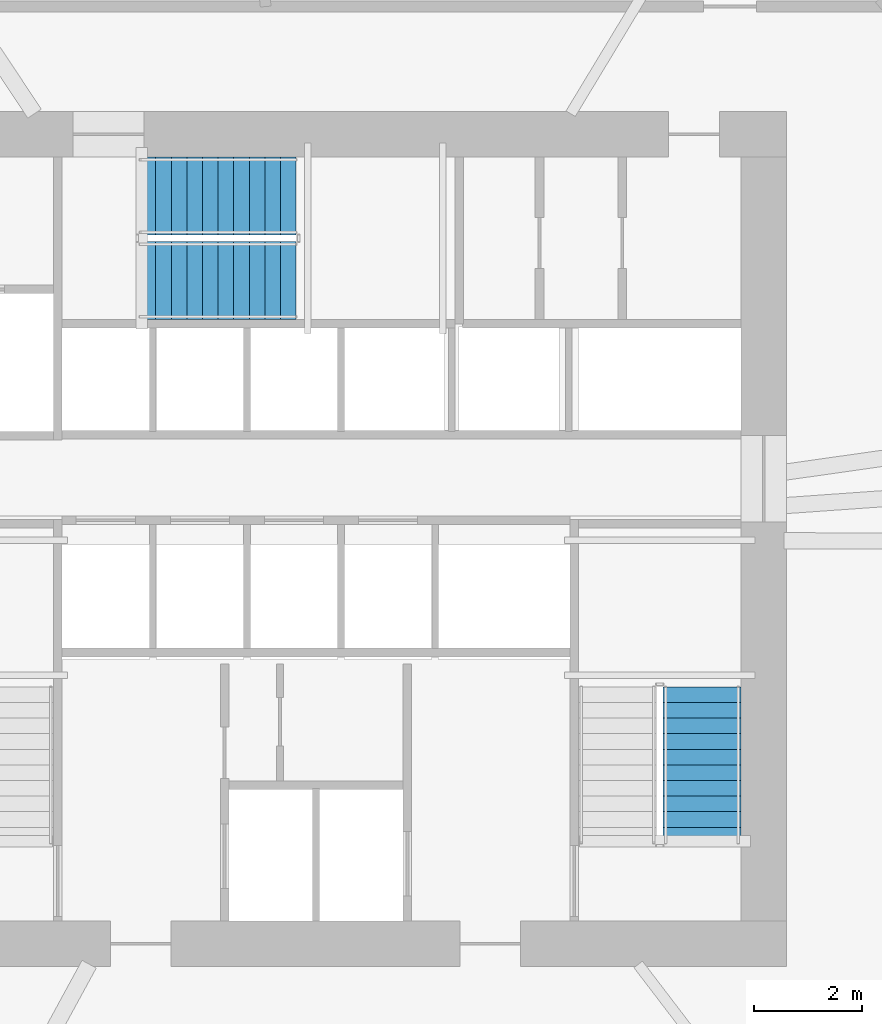
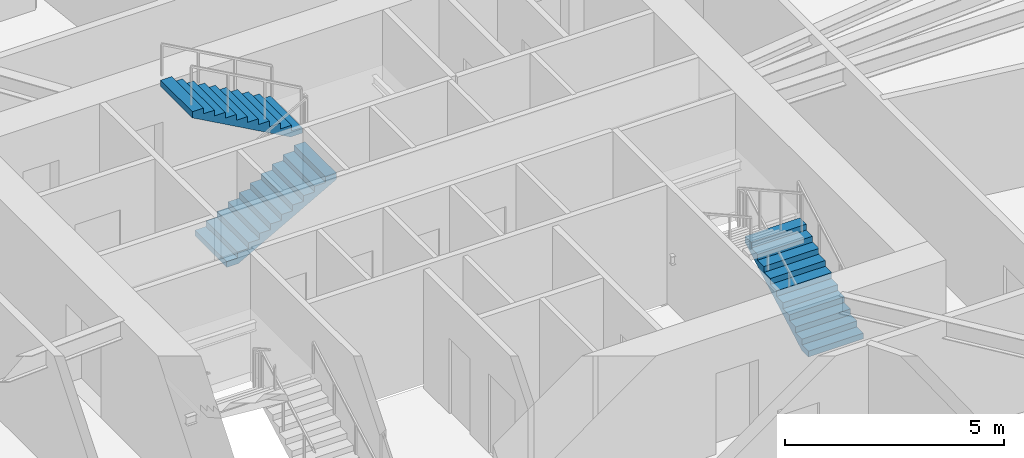
# One storey, part 18 of 21: 3 stair flights, 2 elements without a shape of their own.
"""IFC4 building model written with IfcOpenShell, lengths in metres."""

from ifc_helpers import new_model, si_unit, direction, frame, origin, place, context, subcontext, project, spatial, polyline, outline, extrude, material, type_object, element, aggregate, save


model = new_model("IFC4")

# Units and contexts
model_context = context("Model", 3, precision=1e-05, world=origin(), true_north=direction((0.0, 1.0)))
body_context = subcontext(model_context, "Body", "Model", "MODEL_VIEW")
ifc_project = project(units=[si_unit("LENGTHUNIT", "METRE"), si_unit("AREAUNIT", "SQUARE_METRE"), si_unit("VOLUMEUNIT", "CUBIC_METRE"), si_unit("PLANEANGLEUNIT", "RADIAN"), si_unit("MASSUNIT", "GRAM", prefix="KILO")], contexts=[model_context])

# Site, building, storey
site_placement = place(None, origin())
site = spatial("IfcSite", under=ifc_project, at=site_placement, CompositionType="ELEMENT")
building_placement = place(site_placement, origin())
building = spatial("IfcBuilding", under=site, at=building_placement, Name="Olszyna Solenne Hotel", CompositionType="ELEMENT")
storey_placement = place(building_placement, frame((0.0, 0.0, 47.050048828125)))
storey = spatial("IfcBuildingStorey", under=building, at=storey_placement, Name="L11", CompositionType="ELEMENT", Elevation=47.050048828125)

# Stair, stair flight
ifc_material = material(Name="Concrete C40/50", Category="concrete")
stair_type = type_object("IfcStairType", Name="STR-C1", PredefinedType="TWO_QUARTER_WINDING_STAIR", material=ifc_material)
stair_1_placement = place(storey_placement, origin())
stair_1 = element("IfcStair", 1, at=stair_1_placement, inside=storey, type_object=stair_type, Name="L11 ST2", PredefinedType="TWO_QUARTER_WINDING_STAIR")
stair_flight_type = type_object("IfcStairFlightType", Name="FLT-C1", PredefinedType="STRAIGHT", material=ifc_material)
stair_flight_1_placement = place(storey_placement, frame((45.175048828125, 20.949951171875, 0.0), z_axis=(0.0, 0.0, 1.0), x_axis=(0.0, 1.0, 0.0)))
stair_flight_1 = element("IfcStairFlight", 2, at=stair_flight_1_placement, type_object=stair_flight_type, Name="ST2 flight 1", NumberOfRisers=11, NumberOfTreads=10, PredefinedType="STRAIGHT", RiserHeight=0.161363636, TreadLength=0.29, context=body_context, shape_type="SweptSolid", body=[
    extrude(outline(polyline([(0.0, 0.0), (0.0, 0.161376953125), (0.2900390625, 0.161376953125), (0.2900390625, 0.32275390625), (0.580078125, 0.32275390625), (0.580078125, 0.484130859375), (0.8701171875, 0.484130859375), (0.8701171875, 0.6455078125), (1.159912109375, 0.6455078125), (1.159912109375, 0.806884765625), (1.449951171875, 0.806884765625), (1.449951171875, 0.96826171875), (1.739990234375, 0.96826171875), (1.739990234375, 1.129638671875), (2.030029296875, 1.129638671875), (2.030029296875, 1.291015625), (2.320068359375, 1.291015625), (2.320068359375, 1.452392578125), (2.610107421875, 1.452392578125), (2.610107421875, 1.613525390625), (2.89990234375, 1.613525390625), (2.89990234375, 1.77490234375), (2.89990234375, 1.442138671875), (0.308349609375, 0.0), (0.0, 0.0)])), frame((0.0, 0.72509765625, 0.0), z_axis=(0.0, -1.0, 0.0), x_axis=(1.0, 0.0, 0.0)), (0.0, 0.0, 1.0), 1.449951171875),
])
aggregate(stair_1, [stair_flight_1])

# Stair, stair flights
stair_2_placement = place(storey_placement, origin())
stair_2 = element("IfcStair", 3, at=stair_2_placement, inside=storey, type_object=stair_type, Name="L11 ST3", PredefinedType="TWO_QUARTER_WINDING_STAIR")
stair_flight_2_placement = place(storey_placement, frame((34.72998046875, 31.405029296875, 0.0), z_axis=(0.0, 0.0, 1.0), x_axis=(1.0, 0.0, 0.0)))
stair_flight_2 = element("IfcStairFlight", 4, at=stair_flight_2_placement, type_object=stair_flight_type, Name="ST3 flight 1", NumberOfRisers=11, NumberOfTreads=10, PredefinedType="STRAIGHT", RiserHeight=0.161363636, TreadLength=0.29, context=body_context, shape_type="SweptSolid", body=[
    extrude(outline(polyline([(0.0, 0.0), (0.0, 0.161376953125), (0.2900390625, 0.161376953125), (0.2900390625, 0.32275390625), (0.580078125, 0.32275390625), (0.580078125, 0.484130859375), (0.8701171875, 0.484130859375), (0.8701171875, 0.6455078125), (1.159912109375, 0.6455078125), (1.159912109375, 0.806884765625), (1.449951171875, 0.806884765625), (1.449951171875, 0.96826171875), (1.739990234375, 0.96826171875), (1.739990234375, 1.129638671875), (2.030029296875, 1.129638671875), (2.030029296875, 1.291015625), (2.320068359375, 1.291015625), (2.320068359375, 1.452392578125), (2.610107421875, 1.452392578125), (2.610107421875, 1.613525390625), (2.89990234375, 1.613525390625), (2.89990234375, 1.77490234375), (2.89990234375, 1.442138671875), (0.308349609375, 0.0), (0.0, 0.0)])), frame((0.0, 0.72509765625, 0.0), z_axis=(0.0, -1.0, 0.0), x_axis=(1.0, 0.0, 0.0)), (0.0, 0.0, 1.0), 1.449951171875),
])
stair_flight_3_placement = place(storey_placement, frame((37.6298828125, 32.97509765625, 1.77490234375), z_axis=(0.0, 0.0, 1.0), x_axis=(-1.0, 0.0, 0.0)))
stair_flight_3 = element("IfcStairFlight", 5, at=stair_flight_3_placement, type_object=stair_flight_type, Name="ST3 flight 2", NumberOfRisers=11, NumberOfTreads=10, PredefinedType="STRAIGHT", RiserHeight=0.161363636, TreadLength=0.29, context=body_context, shape_type="SweptSolid", body=[
    extrude(outline(polyline([(0.0, 0.0), (0.0, 0.161376953125), (0.2900390625, 0.161376953125), (0.2900390625, 0.32275390625), (0.580078125, 0.32275390625), (0.580078125, 0.484130859375), (0.8701171875, 0.484130859375), (0.8701171875, 0.6455078125), (1.159912109375, 0.6455078125), (1.159912109375, 0.806884765625), (1.449951171875, 0.806884765625), (1.449951171875, 0.96826171875), (1.739990234375, 0.96826171875), (1.739990234375, 1.129638671875), (2.030029296875, 1.129638671875), (2.030029296875, 1.291015625), (2.320068359375, 1.291015625), (2.320068359375, 1.452392578125), (2.610107421875, 1.452392578125), (2.610107421875, 1.613525390625), (2.89990234375, 1.613525390625), (2.89990234375, 1.77490234375), (2.89990234375, 1.442138671875), (0.308349609375, 0.0), (0.0, 0.0)])), frame((0.0, 0.72509765625, 0.0), z_axis=(0.0, -1.0, 0.0), x_axis=(1.0, 0.0, 0.0)), (0.0, 0.0, 1.0), 1.449951171875),
])
aggregate(stair_2, [stair_flight_2, stair_flight_3])

save(model, "model.ifc")
